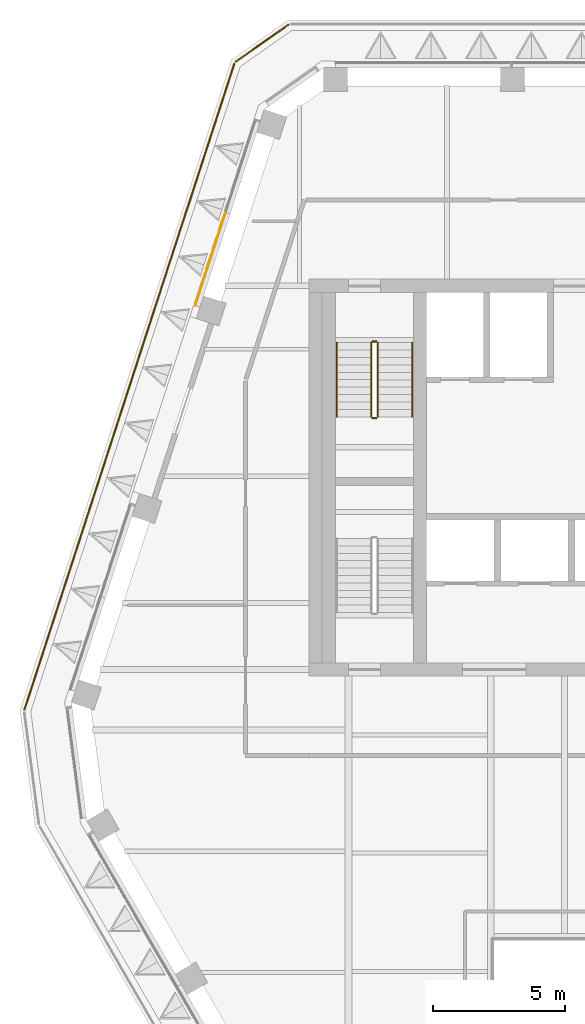
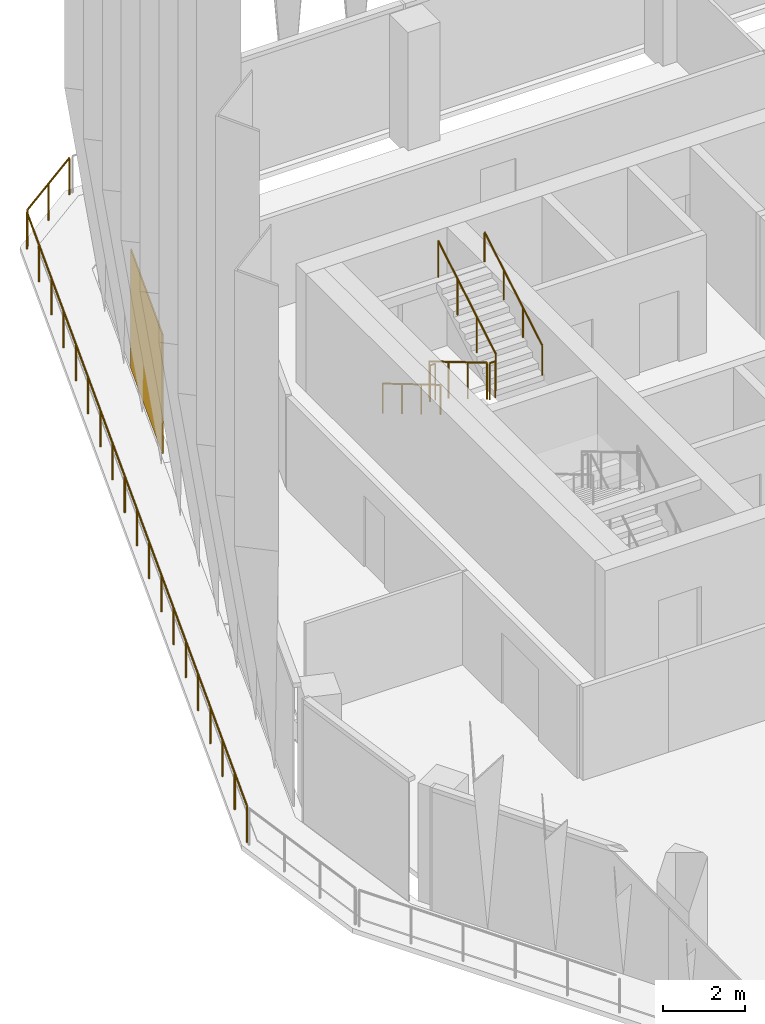
# One storey, part 15 of 21: 8 railings, 1 covering, 1 element without a shape of its own.
"""IFC4 building model written with IfcOpenShell, lengths in metres."""

from ifc_helpers import new_model, si_unit, direction, frame, origin, origin_2d, place, context, subcontext, project, spatial, rectangle, circle, extrude, material, layer, layer_set, type_object, element, aggregate, save


model = new_model("IFC4")

# Units and contexts
model_context = context("Model", 3, precision=1e-05, world=origin(), true_north=direction((0.0, 1.0)))
body_context = subcontext(model_context, "Body", "Model", "MODEL_VIEW")
ifc_project = project(units=[si_unit("LENGTHUNIT", "METRE"), si_unit("AREAUNIT", "SQUARE_METRE"), si_unit("VOLUMEUNIT", "CUBIC_METRE"), si_unit("PLANEANGLEUNIT", "RADIAN"), si_unit("MASSUNIT", "GRAM", prefix="KILO")], contexts=[model_context])

# Site, building, storey
site_placement = place(None, origin())
site = spatial("IfcSite", under=ifc_project, at=site_placement, CompositionType="ELEMENT")
building_placement = place(site_placement, origin())
building = spatial("IfcBuilding", under=site, at=building_placement, Name="Isthmus Gate Tower", CompositionType="ELEMENT")
storey_placement = place(building_placement, frame((0.0, 0.0, 260.949951171875)))
storey = spatial("IfcBuildingStorey", under=building, at=storey_placement, Name="L66", CompositionType="ELEMENT", Elevation=260.949951171875)

# Curtain wall, covering
ifc_material_1 = material(Name="Aluminium, pale champagne anodised", Category="aluminium")
ifc_layer_1 = layer(ifc_material_1, 0.199951171875)
ifc_layer_set_1 = layer_set([ifc_layer_1], Name="CW-1 UNITISED CURTAIN WALL 200 DEEP")
curtain_wall_type = type_object("IfcCurtainWallType", Name="CW-1 UNITISED CURTAIN WALL 200 DEEP", PredefinedType="NOTDEFINED", material=ifc_layer_set_1)
curtain_wall_placement = place(storey_placement, origin())
curtain_wall = element("IfcCurtainWall", 1, at=curtain_wall_placement, inside=storey, type_object=curtain_wall_type, Name="CW-1 NW L66", PredefinedType="NOTDEFINED")
ifc_material_2 = material(Name="Aluminium composite panel, pale champagne anodised", Category="aluminium")
ifc_layer_2 = layer(ifc_material_2, 0.031982421875)
ifc_layer_set_2 = layer_set([ifc_layer_2], Name="CW-1 PALE METAL PANEL 32")
covering_type = type_object("IfcCoveringType", Name="CW-1 PALE METAL PANEL 32", PredefinedType="CLADDING", material=ifc_layer_set_2)
covering_placement = place(storey_placement, frame((-18.727783203125, 15.760498046875, 0.0), z_axis=(0.0, 0.0, 1.0), x_axis=(-0.309016994375, -0.951056516295, 0.0)))
covering = element("IfcCovering", 2, at=covering_placement, type_object=covering_type, Name="CW-1 pale metal panel", PredefinedType="CLADDING", context=body_context, shape_type="SweptSolid", body=[
    extrude(rectangle(XDim=3.703369140625, YDim=0.031982421875, at=origin_2d()), origin(), (0.0, 0.0, 1.0), 3.52001953125),
])
aggregate(curtain_wall, [covering])

# Railings
ifc_material_3 = material(Name="Stainless steel posts and toughened laminated glass", Category="steel")
railing_type_1 = type_object("IfcRailingType", Name="GUARD 1100 LEDGE GLASS", PredefinedType="GUARDRAIL", material=ifc_material_3)
railing_1_placement = place(storey_placement, frame((-25.752685546875, -1.257568359375, 0.0)))
element("IfcRailing", 3, at=railing_1_placement, inside=storey, type_object=railing_type_1, Name="LEDGE GUARD", PredefinedType="GUARDRAIL", context=body_context, shape_type="SweptSolid", body=[
    extrude(circle(Radius=0.02490234375, at=origin_2d()), frame((0.0, 0.0, 1.0751953125), z_axis=(0.309014838026, 0.951057216933, 0.0), x_axis=(-0.951057216933, 0.309014838026, 0.0)), (0.0, 0.0, 1.0), 25.651611328125),
    extrude(circle(Radius=0.02490234375, at=origin_2d()), origin(), (0.0, 0.0, 1.0), 1.050048828125),
    extrude(circle(Radius=0.02490234375, at=origin_2d()), frame((0.4404296875, 1.35546875, 0.0)), (0.0, 0.0, 1.0), 1.050048828125),
    extrude(circle(Radius=0.02490234375, at=origin_2d()), frame((0.880859375, 2.710693359375, 0.0)), (0.0, 0.0, 1.0), 1.050048828125),
    extrude(circle(Radius=0.02490234375, at=origin_2d()), frame((1.321044921875, 4.06591796875, 0.0)), (0.0, 0.0, 1.0), 1.050048828125),
    extrude(circle(Radius=0.02490234375, at=origin_2d()), frame((1.761474609375, 5.42138671875, 0.0)), (0.0, 0.0, 1.0), 1.050048828125),
    extrude(circle(Radius=0.02490234375, at=origin_2d()), frame((2.201904296875, 6.77685546875, 0.0)), (0.0, 0.0, 1.0), 1.050048828125),
    extrude(circle(Radius=0.02490234375, at=origin_2d()), frame((2.642333984375, 8.132080078125, 0.0)), (0.0, 0.0, 1.0), 1.050048828125),
    extrude(circle(Radius=0.02490234375, at=origin_2d()), frame((3.08251953125, 9.4873046875, 0.0)), (0.0, 0.0, 1.0), 1.050048828125),
    extrude(circle(Radius=0.02490234375, at=origin_2d()), frame((3.52294921875, 10.8427734375, 0.0)), (0.0, 0.0, 1.0), 1.050048828125),
    extrude(circle(Radius=0.02490234375, at=origin_2d()), frame((3.96337890625, 12.1982421875, 0.0)), (0.0, 0.0, 1.0), 1.050048828125),
    extrude(circle(Radius=0.02490234375, at=origin_2d()), frame((4.40380859375, 13.553466796875, 0.0)), (0.0, 0.0, 1.0), 1.050048828125),
    extrude(circle(Radius=0.02490234375, at=origin_2d()), frame((4.84423828125, 14.908935546875, 0.0)), (0.0, 0.0, 1.0), 1.050048828125),
    extrude(circle(Radius=0.02490234375, at=origin_2d()), frame((5.284423828125, 16.26416015625, 0.0)), (0.0, 0.0, 1.0), 1.050048828125),
    extrude(circle(Radius=0.02490234375, at=origin_2d()), frame((5.724853515625, 17.61962890625, 0.0)), (0.0, 0.0, 1.0), 1.050048828125),
    extrude(circle(Radius=0.02490234375, at=origin_2d()), frame((6.165283203125, 18.974853515625, 0.0)), (0.0, 0.0, 1.0), 1.050048828125),
    extrude(circle(Radius=0.02490234375, at=origin_2d()), frame((6.605712890625, 20.330078125, 0.0)), (0.0, 0.0, 1.0), 1.050048828125),
    extrude(circle(Radius=0.02490234375, at=origin_2d()), frame((7.0458984375, 21.685546875, 0.0)), (0.0, 0.0, 1.0), 1.050048828125),
    extrude(circle(Radius=0.02490234375, at=origin_2d()), frame((7.486328125, 23.041015625, 0.0)), (0.0, 0.0, 1.0), 1.050048828125),
    extrude(circle(Radius=0.02490234375, at=origin_2d()), frame((7.9267578125, 24.396240234375, 0.0)), (0.0, 0.0, 1.0), 1.050048828125),
])
railing_2_placement = place(storey_placement, frame((-17.75830078125, 23.23046875, 0.0)))
element("IfcRailing", 4, at=railing_2_placement, inside=storey, type_object=railing_type_1, Name="LEDGE GUARD", PredefinedType="GUARDRAIL", context=body_context, shape_type="SweptSolid", body=[
    extrude(circle(Radius=0.02490234375, at=origin_2d()), frame((0.0, 0.0, 1.0751953125), z_axis=(0.81788596912, 0.575380345091, 0.0), x_axis=(-0.575380345091, 0.81788596912, 0.0)), (0.0, 0.0, 1.0), 2.4072265625),
    extrude(circle(Radius=0.02490234375, at=origin_2d()), origin(), (0.0, 0.0, 1.0), 1.050048828125),
    extrude(circle(Radius=0.02490234375, at=origin_2d()), frame((0.984375, 0.6923828125, 0.0)), (0.0, 0.0, 1.0), 1.050048828125),
    extrude(circle(Radius=0.02490234375, at=origin_2d()), frame((1.96875, 1.385009765625, 0.0)), (0.0, 0.0, 1.0), 1.050048828125),
])
ifc_material_4 = material(Name="Stainless steel balustrade", Category="steel")
railing_type_2 = type_object("IfcRailingType", Name="STAIR GUARD 1100", PredefinedType="GUARDRAIL", material=ifc_material_4)
railing_3_placement = place(storey_placement, frame((-12.64990234375, 12.60009765625, 0.166015625)))
element("IfcRailing", 5, at=railing_3_placement, inside=storey, type_object=railing_type_2, Name="L66 ST1 stair guard 1", PredefinedType="GUARDRAIL", context=body_context, shape_type="SweptSolid", body=[
    extrude(circle(Radius=0.02392578125, at=origin_2d()), frame((0.0, 0.0, 1.076171875), z_axis=(0.0, -0.860339051648, 0.50972219513), x_axis=(1.0, 0.0, 0.0)), (0.0, 0.0, 1.0), 3.254638671875),
    extrude(circle(Radius=0.02099609375, at=origin_2d()), origin(), (0.0, 0.0, 1.0), 1.052001953125),
    extrude(circle(Radius=0.02099609375, at=origin_2d()), frame((0.0, -0.933349609375, 0.552978515625)), (0.0, 0.0, 1.0), 1.052001953125),
    extrude(circle(Radius=0.02099609375, at=origin_2d()), frame((0.0, -1.86669921875, 1.10595703125)), (0.0, 0.0, 1.0), 1.052001953125),
    extrude(circle(Radius=0.02099609375, at=origin_2d()), frame((0.0, -2.800048828125, 1.658935546875)), (0.0, 0.0, 1.0), 1.052001953125),
])
railing_4_placement = place(storey_placement, frame((-12.60009765625, 9.75, 1.824951171875)))
element("IfcRailing", 6, at=railing_4_placement, inside=storey, type_object=railing_type_2, Name="L66 ST1 stair guard 2", PredefinedType="GUARDRAIL", context=body_context, shape_type="SweptSolid", body=[
    extrude(circle(Radius=0.02392578125, at=origin_2d()), frame((0.0, 0.0, 1.076171875), z_axis=(1.0, 0.0, 0.0), x_axis=(0.0, 1.0, 0.0)), (0.0, 0.0, 1.0), 0.150146484375),
    extrude(circle(Radius=0.02099609375, at=origin_2d()), origin(), (0.0, 0.0, 1.0), 1.052001953125),
    extrude(circle(Radius=0.02099609375, at=origin_2d()), frame((0.150146484375, 0.0, 0.0)), (0.0, 0.0, 1.0), 1.052001953125),
])
railing_5_placement = place(storey_placement, frame((-12.39990234375, 9.800048828125, 1.990966796875)))
element("IfcRailing", 7, at=railing_5_placement, inside=storey, type_object=railing_type_2, Name="L66 ST1 stair guard 3", PredefinedType="GUARDRAIL", context=body_context, shape_type="SweptSolid", body=[
    extrude(circle(Radius=0.02392578125, at=origin_2d()), frame((0.0, 0.0, 1.076171875), z_axis=(0.0, 0.860306154799, 0.50977771628), x_axis=(-1.0, 0.0, 0.0)), (0.0, 0.0, 1.0), 3.254638671875),
    extrude(circle(Radius=0.02099609375, at=origin_2d()), origin(), (0.0, 0.0, 1.0), 1.052001953125),
    extrude(circle(Radius=0.02099609375, at=origin_2d()), frame((0.0, 0.933349609375, 0.552978515625)), (0.0, 0.0, 1.0), 1.052001953125),
    extrude(circle(Radius=0.02099609375, at=origin_2d()), frame((0.0, 1.86669921875, 1.106201171875)), (0.0, 0.0, 1.0), 1.052001953125),
    extrude(circle(Radius=0.02099609375, at=origin_2d()), frame((0.0, 2.800048828125, 1.6591796875)), (0.0, 0.0, 1.0), 1.052001953125),
])
railing_6_placement = place(storey_placement, frame((-12.60009765625, 12.64990234375, 0.0)))
element("IfcRailing", 8, at=railing_6_placement, inside=storey, type_object=railing_type_2, Name="L66 ST1 stair guard 4", PredefinedType="GUARDRAIL", context=body_context, shape_type="SweptSolid", body=[
    extrude(circle(Radius=0.02392578125, at=origin_2d()), frame((0.0, 0.0, 1.076171875), z_axis=(1.0, 0.0, 0.0), x_axis=(0.0, 1.0, 0.0)), (0.0, 0.0, 1.0), 0.150146484375),
    extrude(circle(Radius=0.02099609375, at=origin_2d()), origin(), (0.0, 0.0, 1.0), 1.052001953125),
    extrude(circle(Radius=0.02099609375, at=origin_2d()), frame((0.150146484375, 0.0, 0.0)), (0.0, 0.0, 1.0), 1.052001953125),
])
ifc_material_5 = material(Name="Stainless steel handrail", Category="steel")
railing_type_3 = type_object("IfcRailingType", Name="STAIR HANDRAIL 900", PredefinedType="HANDRAIL", material=ifc_material_5)
railing_7_placement = place(storey_placement, frame((-13.949951171875, 12.60009765625, 0.166015625)))
element("IfcRailing", 9, at=railing_7_placement, inside=storey, type_object=railing_type_3, Name="L66 ST1 stair handrail 1", PredefinedType="HANDRAIL", context=body_context, shape_type="SweptSolid", body=[
    extrude(circle(Radius=0.02392578125, at=origin_2d()), frame((0.0, 0.0, 0.8759765625), z_axis=(0.0, -0.860339051648, 0.50972219513), x_axis=(1.0, 0.0, 0.0)), (0.0, 0.0, 1.0), 3.254638671875),
    extrude(circle(Radius=0.02099609375, at=origin_2d()), origin(), (0.0, 0.0, 1.0), 0.851806640625),
    extrude(circle(Radius=0.02099609375, at=origin_2d()), frame((0.0, -0.933349609375, 0.552978515625)), (0.0, 0.0, 1.0), 0.851806640625),
    extrude(circle(Radius=0.02099609375, at=origin_2d()), frame((0.0, -1.86669921875, 1.10595703125)), (0.0, 0.0, 1.0), 0.851806640625),
    extrude(circle(Radius=0.02099609375, at=origin_2d()), frame((0.0, -2.800048828125, 1.658935546875)), (0.0, 0.0, 1.0), 0.851806640625),
])
railing_8_placement = place(storey_placement, frame((-11.10009765625, 9.800048828125, 1.990966796875)))
element("IfcRailing", 10, at=railing_8_placement, inside=storey, type_object=railing_type_3, Name="L66 ST1 stair handrail 2", PredefinedType="HANDRAIL", context=body_context, shape_type="SweptSolid", body=[
    extrude(circle(Radius=0.02392578125, at=origin_2d()), frame((0.0, 0.0, 0.8759765625), z_axis=(0.0, 0.860306154799, 0.50977771628), x_axis=(-1.0, 0.0, 0.0)), (0.0, 0.0, 1.0), 3.254638671875),
    extrude(circle(Radius=0.02099609375, at=origin_2d()), origin(), (0.0, 0.0, 1.0), 0.851806640625),
    extrude(circle(Radius=0.02099609375, at=origin_2d()), frame((0.0, 0.933349609375, 0.552978515625)), (0.0, 0.0, 1.0), 0.851806640625),
    extrude(circle(Radius=0.02099609375, at=origin_2d()), frame((0.0, 1.86669921875, 1.106201171875)), (0.0, 0.0, 1.0), 0.851806640625),
    extrude(circle(Radius=0.02099609375, at=origin_2d()), frame((0.0, 2.800048828125, 1.6591796875)), (0.0, 0.0, 1.0), 0.851806640625),
])

save(model, "model.ifc")
